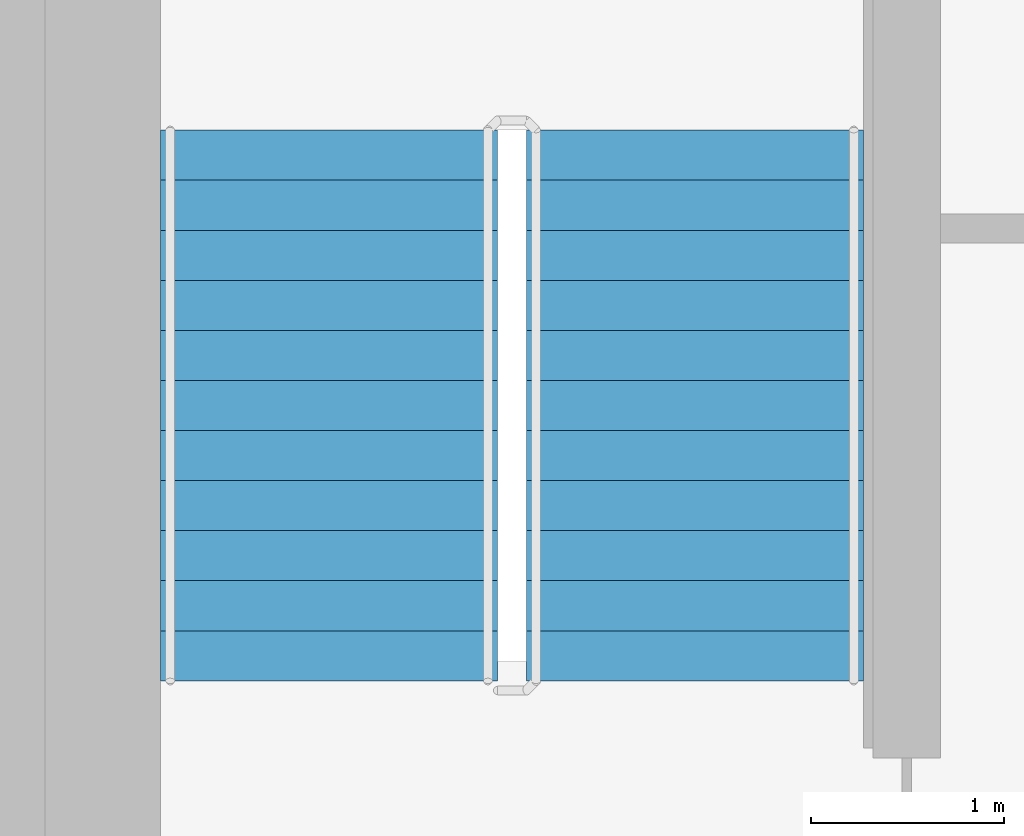
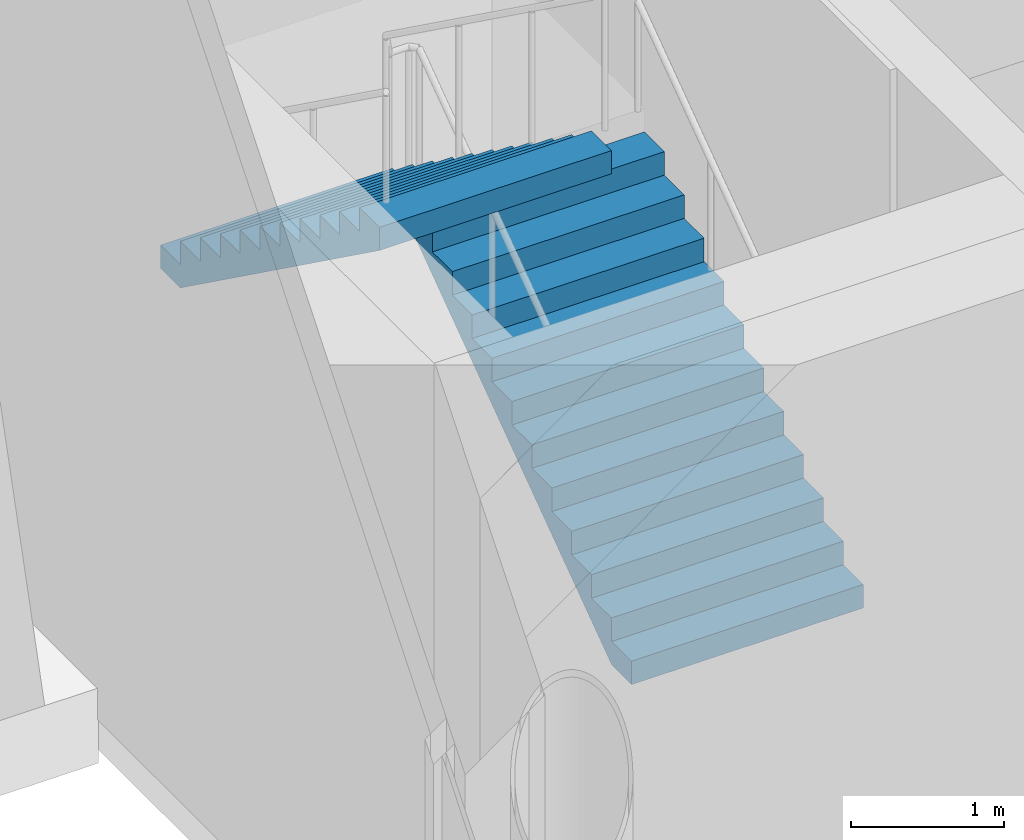
# One storey, part 14 of 17: 2 stair flights, 1 element without a shape of its own.
"""IFC4 building model written with IfcOpenShell, lengths in metres."""

from ifc_helpers import new_model, si_unit, direction, frame, origin, place, context, subcontext, project, spatial, faceted_brep, material, type_object, element, aggregate, save


model = new_model("IFC4")

# Units and contexts
model_context = context("Model", 3, precision=1e-05, world=origin(), true_north=direction((0.0, 1.0)))
body_context = subcontext(model_context, "Body", "Model", "MODEL_VIEW")
ifc_project = project(units=[si_unit("LENGTHUNIT", "METRE"), si_unit("AREAUNIT", "SQUARE_METRE"), si_unit("VOLUMEUNIT", "CUBIC_METRE"), si_unit("PLANEANGLEUNIT", "RADIAN"), si_unit("MASSUNIT", "GRAM", prefix="KILO")], contexts=[model_context])

# Site, building, storey
site_placement = place(None, origin())
site = spatial("IfcSite", under=ifc_project, at=site_placement, CompositionType="ELEMENT")
building_placement = place(site_placement, origin())
building = spatial("IfcBuilding", under=site, at=building_placement, Name="Ipe Terrace Towers", CompositionType="ELEMENT")
storey_placement = place(building_placement, frame((0.0, 0.0, 246.89990234375)))
storey = spatial("IfcBuildingStorey", under=building, at=storey_placement, Name="L68", CompositionType="ELEMENT", Elevation=246.89990234375)

# Stair, stair flights
ifc_material_1 = material(Name="Concrete C30/37", Category="concrete")
stair_type = type_object("IfcStairType", Name="Protected exit stair", PredefinedType="HALF_TURN_STAIR", material=ifc_material_1)
stair_placement = place(storey_placement, origin())
stair = element("IfcStair", 1, at=stair_placement, inside=storey, type_object=stair_type, Name="L68 Exit stair T2-C1", PredefinedType="HALF_TURN_STAIR")
ifc_material_2 = material(Name="Concrete C30/37", Category="concrete")
stair_flight_type = type_object("IfcStairFlightType", Name="Exit stair flight 1750", PredefinedType="STRAIGHT", material=ifc_material_2)
stair_flight_1_placement = place(storey_placement, frame((33.22509765625, 9.699951171875, 0.0), z_axis=(0.0, 0.0, 1.0), x_axis=(0.0, 1.0, 0.0)))
stair_flight_1 = element("IfcStairFlight", 2, at=stair_flight_1_placement, type_object=stair_flight_type, Name="T2-ST1 flight 1", NumberOfRisers=12, NumberOfTreads=11, PredefinedType="STRAIGHT", RiserHeight=0.1875, TreadLength=0.26, context=body_context, shape_type="Brep", body=[
    faceted_brep([(0.25634765625, -0.875, 0.0), (2.860107421875, -0.875, 1.877685546875), (2.860107421875, -0.875, 2.0625), (2.60009765625, -0.875, 2.0625), (2.60009765625, -0.875, 1.875), (2.340087890625, -0.875, 1.875), (2.340087890625, -0.875, 1.6875), (2.080078125, -0.875, 1.6875), (2.080078125, -0.875, 1.5), (1.820068359375, -0.875, 1.5), (1.820068359375, -0.875, 1.3125), (1.56005859375, -0.875, 1.3125), (1.56005859375, -0.875, 1.125), (1.300048828125, -0.875, 1.125), (1.300048828125, -0.875, 0.9375), (1.0400390625, -0.875, 0.9375), (1.0400390625, -0.875, 0.75), (0.780029296875, -0.875, 0.75), (0.780029296875, -0.875, 0.5625), (0.52001953125, -0.875, 0.5625), (0.52001953125, -0.875, 0.375), (0.260009765625, -0.875, 0.375), (0.260009765625, -0.875, 0.1875), (0.0, -0.875, 0.1875), (0.0, -0.875, 0.0), (0.0, 0.875, 0.0), (0.0, 0.875, 0.1875), (0.260009765625, 0.875, 0.1875), (0.260009765625, 0.875, 0.375), (0.52001953125, 0.875, 0.375), (0.52001953125, 0.875, 0.5625), (0.780029296875, 0.875, 0.5625), (0.780029296875, 0.875, 0.75), (1.0400390625, 0.875, 0.75), (1.0400390625, 0.875, 0.9375), (1.300048828125, 0.875, 0.9375), (1.300048828125, 0.875, 1.125), (1.56005859375, 0.875, 1.125), (1.56005859375, 0.875, 1.3125), (1.820068359375, 0.875, 1.3125), (1.820068359375, 0.875, 1.5), (2.080078125, 0.875, 1.5), (2.080078125, 0.875, 1.6875), (2.340087890625, 0.875, 1.6875), (2.340087890625, 0.875, 1.875), (2.60009765625, 0.875, 1.875), (2.60009765625, 0.875, 2.0625), (2.860107421875, 0.875, 2.0625), (2.860107421875, 0.875, 1.877685546875), (0.25634765625, 0.875, 0.0), (0.0, -0.300048828125, 0.1875), (0.0, -0.1201171875, 0.1875), (0.0, -0.06005859375, 0.1875), (0.0, -0.030029296875, 0.1875), (0.0, -0.010009765625, 0.1875), (0.0, 0.0, 0.1875), (0.0, 0.010009765625, 0.1875), (0.0, 0.030029296875, 0.1875), (0.0, 0.06005859375, 0.1875), (0.0, 0.1201171875, 0.1875), (0.0, 0.300048828125, 0.1875), (0.0, 0.300048828125, 0.0), (0.0, 0.1201171875, 0.0), (0.0, 0.06005859375, 0.0), (0.0, 0.030029296875, 0.0), (0.0, 0.010009765625, 0.0), (0.0, 0.0, 0.0), (0.0, -0.010009765625, 0.0), (0.0, -0.030029296875, 0.0), (0.0, -0.06005859375, 0.0), (0.0, -0.1201171875, 0.0), (0.0, -0.300048828125, 0.0), (0.260009765625, -0.300048828125, 0.1875), (0.260009765625, -0.1201171875, 0.1875), (0.260009765625, -0.06005859375, 0.1875), (0.260009765625, -0.030029296875, 0.1875), (0.260009765625, -0.010009765625, 0.1875), (0.260009765625, 0.0, 0.1875), (0.260009765625, 0.010009765625, 0.1875), (0.260009765625, 0.030029296875, 0.1875), (0.260009765625, 0.06005859375, 0.1875), (0.260009765625, 0.1201171875, 0.1875), (0.260009765625, 0.300048828125, 0.1875), (0.260009765625, -0.300048828125, 0.375), (0.260009765625, -0.1201171875, 0.375), (0.260009765625, -0.06005859375, 0.375), (0.260009765625, -0.030029296875, 0.375), (0.260009765625, -0.010009765625, 0.375), (0.260009765625, 0.0, 0.375), (0.260009765625, 0.010009765625, 0.375), (0.260009765625, 0.030029296875, 0.375), (0.260009765625, 0.06005859375, 0.375), (0.260009765625, 0.1201171875, 0.375), (0.260009765625, 0.300048828125, 0.375), (0.52001953125, -0.300048828125, 0.375), (0.52001953125, -0.1201171875, 0.375), (0.52001953125, -0.06005859375, 0.375), (0.52001953125, -0.030029296875, 0.375), (0.52001953125, -0.010009765625, 0.375), (0.52001953125, 0.0, 0.375), (0.52001953125, 0.010009765625, 0.375), (0.52001953125, 0.030029296875, 0.375), (0.52001953125, 0.06005859375, 0.375), (0.52001953125, 0.1201171875, 0.375), (0.52001953125, 0.300048828125, 0.375), (0.52001953125, -0.300048828125, 0.5625), (0.52001953125, -0.1201171875, 0.5625), (0.52001953125, -0.06005859375, 0.5625), (0.52001953125, -0.030029296875, 0.5625), (0.52001953125, -0.010009765625, 0.5625), (0.52001953125, 0.0, 0.5625), (0.52001953125, 0.010009765625, 0.5625), (0.52001953125, 0.030029296875, 0.5625), (0.52001953125, 0.06005859375, 0.5625), (0.52001953125, 0.1201171875, 0.5625), (0.52001953125, 0.300048828125, 0.5625), (0.780029296875, -0.300048828125, 0.5625), (0.780029296875, -0.1201171875, 0.5625), (0.780029296875, -0.06005859375, 0.5625), (0.780029296875, -0.030029296875, 0.5625), (0.780029296875, -0.010009765625, 0.5625), (0.780029296875, 0.0, 0.5625), (0.780029296875, 0.010009765625, 0.5625), (0.780029296875, 0.030029296875, 0.5625), (0.780029296875, 0.06005859375, 0.5625), (0.780029296875, 0.1201171875, 0.5625), (0.780029296875, 0.300048828125, 0.5625), (0.780029296875, -0.300048828125, 0.75), (0.780029296875, -0.1201171875, 0.75), (0.780029296875, -0.06005859375, 0.75), (0.780029296875, -0.030029296875, 0.75), (0.780029296875, -0.010009765625, 0.75), (0.780029296875, 0.0, 0.75), (0.780029296875, 0.010009765625, 0.75), (0.780029296875, 0.030029296875, 0.75), (0.780029296875, 0.06005859375, 0.75), (0.780029296875, 0.1201171875, 0.75), (0.780029296875, 0.300048828125, 0.75), (1.0400390625, -0.300048828125, 0.75), (1.0400390625, -0.1201171875, 0.75), (1.0400390625, -0.06005859375, 0.75), (1.0400390625, -0.030029296875, 0.75), (1.0400390625, -0.010009765625, 0.75), (1.0400390625, 0.0, 0.75), (1.0400390625, 0.010009765625, 0.75), (1.0400390625, 0.030029296875, 0.75), (1.0400390625, 0.06005859375, 0.75), (1.0400390625, 0.1201171875, 0.75), (1.0400390625, 0.300048828125, 0.75), (1.0400390625, -0.300048828125, 0.9375), (1.0400390625, -0.1201171875, 0.9375), (1.0400390625, -0.06005859375, 0.9375), (1.0400390625, -0.030029296875, 0.9375), (1.0400390625, -0.010009765625, 0.9375), (1.0400390625, 0.0, 0.9375), (1.0400390625, 0.010009765625, 0.9375), (1.0400390625, 0.030029296875, 0.9375), (1.0400390625, 0.06005859375, 0.9375), (1.0400390625, 0.1201171875, 0.9375), (1.0400390625, 0.300048828125, 0.9375), (1.300048828125, -0.300048828125, 0.9375), (1.300048828125, -0.1201171875, 0.9375), (1.300048828125, -0.06005859375, 0.9375), (1.300048828125, -0.030029296875, 0.9375), (1.300048828125, -0.010009765625, 0.9375), (1.300048828125, 0.0, 0.9375), (1.300048828125, 0.010009765625, 0.9375), (1.300048828125, 0.030029296875, 0.9375), (1.300048828125, 0.06005859375, 0.9375), (1.300048828125, 0.1201171875, 0.9375), (1.300048828125, 0.300048828125, 0.9375), (1.300048828125, -0.300048828125, 1.125), (1.300048828125, -0.1201171875, 1.125), (1.300048828125, -0.06005859375, 1.125), (1.300048828125, -0.030029296875, 1.125), (1.300048828125, -0.010009765625, 1.125), (1.300048828125, 0.0, 1.125), (1.300048828125, 0.010009765625, 1.125), (1.300048828125, 0.030029296875, 1.125), (1.300048828125, 0.06005859375, 1.125), (1.300048828125, 0.1201171875, 1.125), (1.300048828125, 0.300048828125, 1.125), (1.56005859375, -0.300048828125, 1.125), (1.56005859375, -0.1201171875, 1.125), (1.56005859375, -0.06005859375, 1.125), (1.56005859375, -0.030029296875, 1.125), (1.56005859375, -0.010009765625, 1.125), (1.56005859375, 0.0, 1.125), (1.56005859375, 0.010009765625, 1.125), (1.56005859375, 0.030029296875, 1.125), (1.56005859375, 0.06005859375, 1.125), (1.56005859375, 0.1201171875, 1.125), (1.56005859375, 0.300048828125, 1.125), (1.56005859375, -0.300048828125, 1.3125), (1.56005859375, -0.1201171875, 1.3125), (1.56005859375, -0.06005859375, 1.3125), (1.56005859375, -0.030029296875, 1.3125), (1.56005859375, -0.010009765625, 1.3125), (1.56005859375, 0.0, 1.3125), (1.56005859375, 0.010009765625, 1.3125), (1.56005859375, 0.030029296875, 1.3125), (1.56005859375, 0.06005859375, 1.3125), (1.56005859375, 0.1201171875, 1.3125), (1.56005859375, 0.300048828125, 1.3125), (1.820068359375, -0.300048828125, 1.3125), (1.820068359375, -0.1201171875, 1.3125), (1.820068359375, -0.06005859375, 1.3125), (1.820068359375, -0.030029296875, 1.3125), (1.820068359375, -0.010009765625, 1.3125), (1.820068359375, 0.0, 1.3125), (1.820068359375, 0.010009765625, 1.3125), (1.820068359375, 0.030029296875, 1.3125), (1.820068359375, 0.06005859375, 1.3125), (1.820068359375, 0.1201171875, 1.3125), (1.820068359375, 0.300048828125, 1.3125), (1.820068359375, -0.300048828125, 1.5), (1.820068359375, -0.1201171875, 1.5), (1.820068359375, -0.06005859375, 1.5), (1.820068359375, -0.030029296875, 1.5), (1.820068359375, -0.010009765625, 1.5), (1.820068359375, 0.0, 1.5), (1.820068359375, 0.010009765625, 1.5), (1.820068359375, 0.030029296875, 1.5), (1.820068359375, 0.06005859375, 1.5), (1.820068359375, 0.1201171875, 1.5), (1.820068359375, 0.300048828125, 1.5), (2.080078125, -0.300048828125, 1.5), (2.080078125, -0.1201171875, 1.5), (2.080078125, -0.06005859375, 1.5), (2.080078125, -0.030029296875, 1.5), (2.080078125, -0.010009765625, 1.5), (2.080078125, 0.0, 1.5), (2.080078125, 0.010009765625, 1.5), (2.080078125, 0.030029296875, 1.5), (2.080078125, 0.06005859375, 1.5), (2.080078125, 0.1201171875, 1.5), (2.080078125, 0.300048828125, 1.5), (2.080078125, -0.300048828125, 1.6875), (2.080078125, -0.1201171875, 1.6875), (2.080078125, -0.06005859375, 1.6875), (2.080078125, -0.030029296875, 1.6875), (2.080078125, -0.010009765625, 1.6875), (2.080078125, 0.0, 1.6875), (2.080078125, 0.010009765625, 1.6875), (2.080078125, 0.030029296875, 1.6875), (2.080078125, 0.06005859375, 1.6875), (2.080078125, 0.1201171875, 1.6875), (2.080078125, 0.300048828125, 1.6875), (2.340087890625, -0.300048828125, 1.6875), (2.340087890625, -0.1201171875, 1.6875), (2.340087890625, -0.06005859375, 1.6875), (2.340087890625, -0.030029296875, 1.6875), (2.340087890625, -0.010009765625, 1.6875), (2.340087890625, 0.0, 1.6875), (2.340087890625, 0.010009765625, 1.6875), (2.340087890625, 0.030029296875, 1.6875), (2.340087890625, 0.06005859375, 1.6875), (2.340087890625, 0.1201171875, 1.6875), (2.340087890625, 0.300048828125, 1.6875), (2.340087890625, -0.300048828125, 1.875), (2.340087890625, -0.1201171875, 1.875), (2.340087890625, -0.06005859375, 1.875), (2.340087890625, -0.030029296875, 1.875), (2.340087890625, -0.010009765625, 1.875), (2.340087890625, 0.0, 1.875), (2.340087890625, 0.010009765625, 1.875), (2.340087890625, 0.030029296875, 1.875), (2.340087890625, 0.06005859375, 1.875), (2.340087890625, 0.1201171875, 1.875), (2.340087890625, 0.300048828125, 1.875), (2.60009765625, -0.300048828125, 1.875), (2.60009765625, -0.1201171875, 1.875), (2.60009765625, -0.06005859375, 1.875), (2.60009765625, -0.030029296875, 1.875), (2.60009765625, -0.010009765625, 1.875), (2.60009765625, 0.0, 1.875), (2.60009765625, 0.010009765625, 1.875), (2.60009765625, 0.030029296875, 1.875), (2.60009765625, 0.06005859375, 1.875), (2.60009765625, 0.1201171875, 1.875), (2.60009765625, 0.300048828125, 1.875), (2.60009765625, -0.300048828125, 2.0625), (2.60009765625, -0.1201171875, 2.0625), (2.60009765625, -0.06005859375, 2.0625), (2.60009765625, -0.030029296875, 2.0625), (2.60009765625, -0.010009765625, 2.0625), (2.60009765625, 0.0, 2.0625), (2.60009765625, 0.010009765625, 2.0625), (2.60009765625, 0.030029296875, 2.0625), (2.60009765625, 0.06005859375, 2.0625), (2.60009765625, 0.1201171875, 2.0625), (2.60009765625, 0.300048828125, 2.0625), (2.860107421875, -0.300048828125, 2.0625), (2.860107421875, -0.1201171875, 2.0625), (2.860107421875, -0.06005859375, 2.0625), (2.860107421875, -0.030029296875, 2.0625), (2.860107421875, -0.010009765625, 2.0625), (2.860107421875, 0.0, 2.0625), (2.860107421875, 0.010009765625, 2.0625), (2.860107421875, 0.030029296875, 2.0625), (2.860107421875, 0.06005859375, 2.0625), (2.860107421875, 0.1201171875, 2.0625), (2.860107421875, 0.300048828125, 2.0625), (2.860107421875, -0.300048828125, 1.877685546875), (2.860107421875, -0.1201171875, 1.877685546875), (2.860107421875, -0.06005859375, 1.877685546875), (2.860107421875, -0.030029296875, 1.877685546875), (2.860107421875, -0.010009765625, 1.877685546875), (2.860107421875, 0.0, 1.877685546875), (2.860107421875, 0.010009765625, 1.877685546875), (2.860107421875, 0.030029296875, 1.877685546875), (2.860107421875, 0.06005859375, 1.877685546875), (2.860107421875, 0.1201171875, 1.877685546875), (2.860107421875, 0.300048828125, 1.877685546875), (0.25634765625, -0.300048828125, 0.0), (0.25634765625, -0.1201171875, 0.0), (0.25634765625, -0.06005859375, 0.0), (0.25634765625, -0.030029296875, 0.0), (0.25634765625, -0.010009765625, 0.0), (0.25634765625, 0.0, 0.0), (0.25634765625, 0.010009765625, 0.0), (0.25634765625, 0.030029296875, 0.0), (0.25634765625, 0.06005859375, 0.0), (0.25634765625, 0.1201171875, 0.0), (0.25634765625, 0.300048828125, 0.0)], [[[0, 1, 2, 3, 4, 5, 6, 7, 8, 9, 10, 11, 12, 13, 14, 15, 16, 17, 18, 19, 20, 21, 22, 23, 24]], [[25, 26, 27, 28, 29, 30, 31, 32, 33, 34, 35, 36, 37, 38, 39, 40, 41, 42, 43, 44, 45, 46, 47, 48, 49]], [[23, 50, 51, 52, 53, 54, 55, 56, 57, 58, 59, 60, 26, 25, 61, 62, 63, 64, 65, 66, 67, 68, 69, 70, 71, 24]], [[22, 72, 73, 74, 75, 76, 77, 78, 79, 80, 81, 82, 27, 26, 60, 59, 58, 57, 56, 55, 54, 53, 52, 51, 50, 23]], [[21, 83, 84, 85, 86, 87, 88, 89, 90, 91, 92, 93, 28, 27, 82, 81, 80, 79, 78, 77, 76, 75, 74, 73, 72, 22]], [[20, 94, 95, 96, 97, 98, 99, 100, 101, 102, 103, 104, 29, 28, 93, 92, 91, 90, 89, 88, 87, 86, 85, 84, 83, 21]], [[19, 105, 106, 107, 108, 109, 110, 111, 112, 113, 114, 115, 30, 29, 104, 103, 102, 101, 100, 99, 98, 97, 96, 95, 94, 20]], [[18, 116, 117, 118, 119, 120, 121, 122, 123, 124, 125, 126, 31, 30, 115, 114, 113, 112, 111, 110, 109, 108, 107, 106, 105, 19]], [[17, 127, 128, 129, 130, 131, 132, 133, 134, 135, 136, 137, 32, 31, 126, 125, 124, 123, 122, 121, 120, 119, 118, 117, 116, 18]], [[16, 138, 139, 140, 141, 142, 143, 144, 145, 146, 147, 148, 33, 32, 137, 136, 135, 134, 133, 132, 131, 130, 129, 128, 127, 17]], [[15, 149, 150, 151, 152, 153, 154, 155, 156, 157, 158, 159, 34, 33, 148, 147, 146, 145, 144, 143, 142, 141, 140, 139, 138, 16]], [[14, 160, 161, 162, 163, 164, 165, 166, 167, 168, 169, 170, 35, 34, 159, 158, 157, 156, 155, 154, 153, 152, 151, 150, 149, 15]], [[13, 171, 172, 173, 174, 175, 176, 177, 178, 179, 180, 181, 36, 35, 170, 169, 168, 167, 166, 165, 164, 163, 162, 161, 160, 14]], [[12, 182, 183, 184, 185, 186, 187, 188, 189, 190, 191, 192, 37, 36, 181, 180, 179, 178, 177, 176, 175, 174, 173, 172, 171, 13]], [[11, 193, 194, 195, 196, 197, 198, 199, 200, 201, 202, 203, 38, 37, 192, 191, 190, 189, 188, 187, 186, 185, 184, 183, 182, 12]], [[10, 204, 205, 206, 207, 208, 209, 210, 211, 212, 213, 214, 39, 38, 203, 202, 201, 200, 199, 198, 197, 196, 195, 194, 193, 11]], [[9, 215, 216, 217, 218, 219, 220, 221, 222, 223, 224, 225, 40, 39, 214, 213, 212, 211, 210, 209, 208, 207, 206, 205, 204, 10]], [[8, 226, 227, 228, 229, 230, 231, 232, 233, 234, 235, 236, 41, 40, 225, 224, 223, 222, 221, 220, 219, 218, 217, 216, 215, 9]], [[7, 237, 238, 239, 240, 241, 242, 243, 244, 245, 246, 247, 42, 41, 236, 235, 234, 233, 232, 231, 230, 229, 228, 227, 226, 8]], [[6, 248, 249, 250, 251, 252, 253, 254, 255, 256, 257, 258, 43, 42, 247, 246, 245, 244, 243, 242, 241, 240, 239, 238, 237, 7]], [[5, 259, 260, 261, 262, 263, 264, 265, 266, 267, 268, 269, 44, 43, 258, 257, 256, 255, 254, 253, 252, 251, 250, 249, 248, 6]], [[4, 270, 271, 272, 273, 274, 275, 276, 277, 278, 279, 280, 45, 44, 269, 268, 267, 266, 265, 264, 263, 262, 261, 260, 259, 5]], [[3, 281, 282, 283, 284, 285, 286, 287, 288, 289, 290, 291, 46, 45, 280, 279, 278, 277, 276, 275, 274, 273, 272, 271, 270, 4]], [[2, 292, 293, 294, 295, 296, 297, 298, 299, 300, 301, 302, 47, 46, 291, 290, 289, 288, 287, 286, 285, 284, 283, 282, 281, 3]], [[1, 303, 304, 305, 306, 307, 308, 309, 310, 311, 312, 313, 48, 47, 302, 301, 300, 299, 298, 297, 296, 295, 294, 293, 292, 2]], [[0, 314, 315, 316, 317, 318, 319, 320, 321, 322, 323, 324, 49, 48, 313, 312, 311, 310, 309, 308, 307, 306, 305, 304, 303, 1]], [[24, 71, 70, 69, 68, 67, 66, 65, 64, 63, 62, 61, 25, 49, 324, 323, 322, 321, 320, 319, 318, 317, 316, 315, 314, 0]]]),
])
stair_flight_2_placement = place(storey_placement, frame((31.324951171875, 12.56005859375, 2.25), z_axis=(0.0, 0.0, 1.0), x_axis=(0.0, -1.0, 0.0)))
stair_flight_2 = element("IfcStairFlight", 3, at=stair_flight_2_placement, type_object=stair_flight_type, Name="T2-ST1 flight 2", NumberOfRisers=12, NumberOfTreads=11, PredefinedType="STRAIGHT", RiserHeight=0.1875, TreadLength=0.26, context=body_context, shape_type="Brep", body=[
    faceted_brep([(0.25634765625, -0.875, 0.0), (2.860107421875, -0.875, 1.877685546875), (2.860107421875, -0.875, 2.0625), (2.60009765625, -0.875, 2.0625), (2.60009765625, -0.875, 1.875), (2.340087890625, -0.875, 1.875), (2.340087890625, -0.875, 1.6875), (2.080078125, -0.875, 1.6875), (2.080078125, -0.875, 1.5), (1.820068359375, -0.875, 1.5), (1.820068359375, -0.875, 1.3125), (1.56005859375, -0.875, 1.3125), (1.56005859375, -0.875, 1.125), (1.300048828125, -0.875, 1.125), (1.300048828125, -0.875, 0.9375), (1.0400390625, -0.875, 0.9375), (1.0400390625, -0.875, 0.75), (0.780029296875, -0.875, 0.75), (0.780029296875, -0.875, 0.5625), (0.52001953125, -0.875, 0.5625), (0.52001953125, -0.875, 0.375), (0.260009765625, -0.875, 0.375), (0.260009765625, -0.875, 0.1875), (0.0, -0.875, 0.1875), (0.0, -0.875, 0.0), (0.0, 0.875, 0.0), (0.0, 0.875, 0.1875), (0.260009765625, 0.875, 0.1875), (0.260009765625, 0.875, 0.375), (0.52001953125, 0.875, 0.375), (0.52001953125, 0.875, 0.5625), (0.780029296875, 0.875, 0.5625), (0.780029296875, 0.875, 0.75), (1.0400390625, 0.875, 0.75), (1.0400390625, 0.875, 0.9375), (1.300048828125, 0.875, 0.9375), (1.300048828125, 0.875, 1.125), (1.56005859375, 0.875, 1.125), (1.56005859375, 0.875, 1.3125), (1.820068359375, 0.875, 1.3125), (1.820068359375, 0.875, 1.5), (2.080078125, 0.875, 1.5), (2.080078125, 0.875, 1.6875), (2.340087890625, 0.875, 1.6875), (2.340087890625, 0.875, 1.875), (2.60009765625, 0.875, 1.875), (2.60009765625, 0.875, 2.0625), (2.860107421875, 0.875, 2.0625), (2.860107421875, 0.875, 1.877685546875), (0.25634765625, 0.875, 0.0), (0.0, -0.300048828125, 0.1875), (0.0, -0.1201171875, 0.1875), (0.0, -0.06005859375, 0.1875), (0.0, -0.030029296875, 0.1875), (0.0, -0.010009765625, 0.1875), (0.0, 0.0, 0.1875), (0.0, 0.010009765625, 0.1875), (0.0, 0.030029296875, 0.1875), (0.0, 0.06005859375, 0.1875), (0.0, 0.1201171875, 0.1875), (0.0, 0.300048828125, 0.1875), (0.0, 0.300048828125, 0.0), (0.0, 0.1201171875, 0.0), (0.0, 0.06005859375, 0.0), (0.0, 0.030029296875, 0.0), (0.0, 0.010009765625, 0.0), (0.0, 0.0, 0.0), (0.0, -0.010009765625, 0.0), (0.0, -0.030029296875, 0.0), (0.0, -0.06005859375, 0.0), (0.0, -0.1201171875, 0.0), (0.0, -0.300048828125, 0.0), (0.260009765625, -0.300048828125, 0.1875), (0.260009765625, -0.1201171875, 0.1875), (0.260009765625, -0.06005859375, 0.1875), (0.260009765625, -0.030029296875, 0.1875), (0.260009765625, -0.010009765625, 0.1875), (0.260009765625, 0.0, 0.1875), (0.260009765625, 0.010009765625, 0.1875), (0.260009765625, 0.030029296875, 0.1875), (0.260009765625, 0.06005859375, 0.1875), (0.260009765625, 0.1201171875, 0.1875), (0.260009765625, 0.300048828125, 0.1875), (0.260009765625, -0.300048828125, 0.375), (0.260009765625, -0.1201171875, 0.375), (0.260009765625, -0.06005859375, 0.375), (0.260009765625, -0.030029296875, 0.375), (0.260009765625, -0.010009765625, 0.375), (0.260009765625, 0.0, 0.375), (0.260009765625, 0.010009765625, 0.375), (0.260009765625, 0.030029296875, 0.375), (0.260009765625, 0.06005859375, 0.375), (0.260009765625, 0.1201171875, 0.375), (0.260009765625, 0.300048828125, 0.375), (0.52001953125, -0.300048828125, 0.375), (0.52001953125, -0.1201171875, 0.375), (0.52001953125, -0.06005859375, 0.375), (0.52001953125, -0.030029296875, 0.375), (0.52001953125, -0.010009765625, 0.375), (0.52001953125, 0.0, 0.375), (0.52001953125, 0.010009765625, 0.375), (0.52001953125, 0.030029296875, 0.375), (0.52001953125, 0.06005859375, 0.375), (0.52001953125, 0.1201171875, 0.375), (0.52001953125, 0.300048828125, 0.375), (0.52001953125, -0.300048828125, 0.5625), (0.52001953125, -0.1201171875, 0.5625), (0.52001953125, -0.06005859375, 0.5625), (0.52001953125, -0.030029296875, 0.5625), (0.52001953125, -0.010009765625, 0.5625), (0.52001953125, 0.0, 0.5625), (0.52001953125, 0.010009765625, 0.5625), (0.52001953125, 0.030029296875, 0.5625), (0.52001953125, 0.06005859375, 0.5625), (0.52001953125, 0.1201171875, 0.5625), (0.52001953125, 0.300048828125, 0.5625), (0.780029296875, -0.300048828125, 0.5625), (0.780029296875, -0.1201171875, 0.5625), (0.780029296875, -0.06005859375, 0.5625), (0.780029296875, -0.030029296875, 0.5625), (0.780029296875, -0.010009765625, 0.5625), (0.780029296875, 0.0, 0.5625), (0.780029296875, 0.010009765625, 0.5625), (0.780029296875, 0.030029296875, 0.5625), (0.780029296875, 0.06005859375, 0.5625), (0.780029296875, 0.1201171875, 0.5625), (0.780029296875, 0.300048828125, 0.5625), (0.780029296875, -0.300048828125, 0.75), (0.780029296875, -0.1201171875, 0.75), (0.780029296875, -0.06005859375, 0.75), (0.780029296875, -0.030029296875, 0.75), (0.780029296875, -0.010009765625, 0.75), (0.780029296875, 0.0, 0.75), (0.780029296875, 0.010009765625, 0.75), (0.780029296875, 0.030029296875, 0.75), (0.780029296875, 0.06005859375, 0.75), (0.780029296875, 0.1201171875, 0.75), (0.780029296875, 0.300048828125, 0.75), (1.0400390625, -0.300048828125, 0.75), (1.0400390625, -0.1201171875, 0.75), (1.0400390625, -0.06005859375, 0.75), (1.0400390625, -0.030029296875, 0.75), (1.0400390625, -0.010009765625, 0.75), (1.0400390625, 0.0, 0.75), (1.0400390625, 0.010009765625, 0.75), (1.0400390625, 0.030029296875, 0.75), (1.0400390625, 0.06005859375, 0.75), (1.0400390625, 0.1201171875, 0.75), (1.0400390625, 0.300048828125, 0.75), (1.0400390625, -0.300048828125, 0.9375), (1.0400390625, -0.1201171875, 0.9375), (1.0400390625, -0.06005859375, 0.9375), (1.0400390625, -0.030029296875, 0.9375), (1.0400390625, -0.010009765625, 0.9375), (1.0400390625, 0.0, 0.9375), (1.0400390625, 0.010009765625, 0.9375), (1.0400390625, 0.030029296875, 0.9375), (1.0400390625, 0.06005859375, 0.9375), (1.0400390625, 0.1201171875, 0.9375), (1.0400390625, 0.300048828125, 0.9375), (1.300048828125, -0.300048828125, 0.9375), (1.300048828125, -0.1201171875, 0.9375), (1.300048828125, -0.06005859375, 0.9375), (1.300048828125, -0.030029296875, 0.9375), (1.300048828125, -0.010009765625, 0.9375), (1.300048828125, 0.0, 0.9375), (1.300048828125, 0.010009765625, 0.9375), (1.300048828125, 0.030029296875, 0.9375), (1.300048828125, 0.06005859375, 0.9375), (1.300048828125, 0.1201171875, 0.9375), (1.300048828125, 0.300048828125, 0.9375), (1.300048828125, -0.300048828125, 1.125), (1.300048828125, -0.1201171875, 1.125), (1.300048828125, -0.06005859375, 1.125), (1.300048828125, -0.030029296875, 1.125), (1.300048828125, -0.010009765625, 1.125), (1.300048828125, 0.0, 1.125), (1.300048828125, 0.010009765625, 1.125), (1.300048828125, 0.030029296875, 1.125), (1.300048828125, 0.06005859375, 1.125), (1.300048828125, 0.1201171875, 1.125), (1.300048828125, 0.300048828125, 1.125), (1.56005859375, -0.300048828125, 1.125), (1.56005859375, -0.1201171875, 1.125), (1.56005859375, -0.06005859375, 1.125), (1.56005859375, -0.030029296875, 1.125), (1.56005859375, -0.010009765625, 1.125), (1.56005859375, 0.0, 1.125), (1.56005859375, 0.010009765625, 1.125), (1.56005859375, 0.030029296875, 1.125), (1.56005859375, 0.06005859375, 1.125), (1.56005859375, 0.1201171875, 1.125), (1.56005859375, 0.300048828125, 1.125), (1.56005859375, -0.300048828125, 1.3125), (1.56005859375, -0.1201171875, 1.3125), (1.56005859375, -0.06005859375, 1.3125), (1.56005859375, -0.030029296875, 1.3125), (1.56005859375, -0.010009765625, 1.3125), (1.56005859375, 0.0, 1.3125), (1.56005859375, 0.010009765625, 1.3125), (1.56005859375, 0.030029296875, 1.3125), (1.56005859375, 0.06005859375, 1.3125), (1.56005859375, 0.1201171875, 1.3125), (1.56005859375, 0.300048828125, 1.3125), (1.820068359375, -0.300048828125, 1.3125), (1.820068359375, -0.1201171875, 1.3125), (1.820068359375, -0.06005859375, 1.3125), (1.820068359375, -0.030029296875, 1.3125), (1.820068359375, -0.010009765625, 1.3125), (1.820068359375, 0.0, 1.3125), (1.820068359375, 0.010009765625, 1.3125), (1.820068359375, 0.030029296875, 1.3125), (1.820068359375, 0.06005859375, 1.3125), (1.820068359375, 0.1201171875, 1.3125), (1.820068359375, 0.300048828125, 1.3125), (1.820068359375, -0.300048828125, 1.5), (1.820068359375, -0.1201171875, 1.5), (1.820068359375, -0.06005859375, 1.5), (1.820068359375, -0.030029296875, 1.5), (1.820068359375, -0.010009765625, 1.5), (1.820068359375, 0.0, 1.5), (1.820068359375, 0.010009765625, 1.5), (1.820068359375, 0.030029296875, 1.5), (1.820068359375, 0.06005859375, 1.5), (1.820068359375, 0.1201171875, 1.5), (1.820068359375, 0.300048828125, 1.5), (2.080078125, -0.300048828125, 1.5), (2.080078125, -0.1201171875, 1.5), (2.080078125, -0.06005859375, 1.5), (2.080078125, -0.030029296875, 1.5), (2.080078125, -0.010009765625, 1.5), (2.080078125, 0.0, 1.5), (2.080078125, 0.010009765625, 1.5), (2.080078125, 0.030029296875, 1.5), (2.080078125, 0.06005859375, 1.5), (2.080078125, 0.1201171875, 1.5), (2.080078125, 0.300048828125, 1.5), (2.080078125, -0.300048828125, 1.6875), (2.080078125, -0.1201171875, 1.6875), (2.080078125, -0.06005859375, 1.6875), (2.080078125, -0.030029296875, 1.6875), (2.080078125, -0.010009765625, 1.6875), (2.080078125, 0.0, 1.6875), (2.080078125, 0.010009765625, 1.6875), (2.080078125, 0.030029296875, 1.6875), (2.080078125, 0.06005859375, 1.6875), (2.080078125, 0.1201171875, 1.6875), (2.080078125, 0.300048828125, 1.6875), (2.340087890625, -0.300048828125, 1.6875), (2.340087890625, -0.1201171875, 1.6875), (2.340087890625, -0.06005859375, 1.6875), (2.340087890625, -0.030029296875, 1.6875), (2.340087890625, -0.010009765625, 1.6875), (2.340087890625, 0.0, 1.6875), (2.340087890625, 0.010009765625, 1.6875), (2.340087890625, 0.030029296875, 1.6875), (2.340087890625, 0.06005859375, 1.6875), (2.340087890625, 0.1201171875, 1.6875), (2.340087890625, 0.300048828125, 1.6875), (2.340087890625, -0.300048828125, 1.875), (2.340087890625, -0.1201171875, 1.875), (2.340087890625, -0.06005859375, 1.875), (2.340087890625, -0.030029296875, 1.875), (2.340087890625, -0.010009765625, 1.875), (2.340087890625, 0.0, 1.875), (2.340087890625, 0.010009765625, 1.875), (2.340087890625, 0.030029296875, 1.875), (2.340087890625, 0.06005859375, 1.875), (2.340087890625, 0.1201171875, 1.875), (2.340087890625, 0.300048828125, 1.875), (2.60009765625, -0.300048828125, 1.875), (2.60009765625, -0.1201171875, 1.875), (2.60009765625, -0.06005859375, 1.875), (2.60009765625, -0.030029296875, 1.875), (2.60009765625, -0.010009765625, 1.875), (2.60009765625, 0.0, 1.875), (2.60009765625, 0.010009765625, 1.875), (2.60009765625, 0.030029296875, 1.875), (2.60009765625, 0.06005859375, 1.875), (2.60009765625, 0.1201171875, 1.875), (2.60009765625, 0.300048828125, 1.875), (2.60009765625, -0.300048828125, 2.0625), (2.60009765625, -0.1201171875, 2.0625), (2.60009765625, -0.06005859375, 2.0625), (2.60009765625, -0.030029296875, 2.0625), (2.60009765625, -0.010009765625, 2.0625), (2.60009765625, 0.0, 2.0625), (2.60009765625, 0.010009765625, 2.0625), (2.60009765625, 0.030029296875, 2.0625), (2.60009765625, 0.06005859375, 2.0625), (2.60009765625, 0.1201171875, 2.0625), (2.60009765625, 0.300048828125, 2.0625), (2.860107421875, -0.300048828125, 2.0625), (2.860107421875, -0.1201171875, 2.0625), (2.860107421875, -0.06005859375, 2.0625), (2.860107421875, -0.030029296875, 2.0625), (2.860107421875, -0.010009765625, 2.0625), (2.860107421875, 0.0, 2.0625), (2.860107421875, 0.010009765625, 2.0625), (2.860107421875, 0.030029296875, 2.0625), (2.860107421875, 0.06005859375, 2.0625), (2.860107421875, 0.1201171875, 2.0625), (2.860107421875, 0.300048828125, 2.0625), (2.860107421875, -0.300048828125, 1.877685546875), (2.860107421875, -0.1201171875, 1.877685546875), (2.860107421875, -0.06005859375, 1.877685546875), (2.860107421875, -0.030029296875, 1.877685546875), (2.860107421875, -0.010009765625, 1.877685546875), (2.860107421875, 0.0, 1.877685546875), (2.860107421875, 0.010009765625, 1.877685546875), (2.860107421875, 0.030029296875, 1.877685546875), (2.860107421875, 0.06005859375, 1.877685546875), (2.860107421875, 0.1201171875, 1.877685546875), (2.860107421875, 0.300048828125, 1.877685546875), (0.25634765625, -0.300048828125, 0.0), (0.25634765625, -0.1201171875, 0.0), (0.25634765625, -0.06005859375, 0.0), (0.25634765625, -0.030029296875, 0.0), (0.25634765625, -0.010009765625, 0.0), (0.25634765625, 0.0, 0.0), (0.25634765625, 0.010009765625, 0.0), (0.25634765625, 0.030029296875, 0.0), (0.25634765625, 0.06005859375, 0.0), (0.25634765625, 0.1201171875, 0.0), (0.25634765625, 0.300048828125, 0.0)], [[[0, 1, 2, 3, 4, 5, 6, 7, 8, 9, 10, 11, 12, 13, 14, 15, 16, 17, 18, 19, 20, 21, 22, 23, 24]], [[25, 26, 27, 28, 29, 30, 31, 32, 33, 34, 35, 36, 37, 38, 39, 40, 41, 42, 43, 44, 45, 46, 47, 48, 49]], [[23, 50, 51, 52, 53, 54, 55, 56, 57, 58, 59, 60, 26, 25, 61, 62, 63, 64, 65, 66, 67, 68, 69, 70, 71, 24]], [[22, 72, 73, 74, 75, 76, 77, 78, 79, 80, 81, 82, 27, 26, 60, 59, 58, 57, 56, 55, 54, 53, 52, 51, 50, 23]], [[21, 83, 84, 85, 86, 87, 88, 89, 90, 91, 92, 93, 28, 27, 82, 81, 80, 79, 78, 77, 76, 75, 74, 73, 72, 22]], [[20, 94, 95, 96, 97, 98, 99, 100, 101, 102, 103, 104, 29, 28, 93, 92, 91, 90, 89, 88, 87, 86, 85, 84, 83, 21]], [[19, 105, 106, 107, 108, 109, 110, 111, 112, 113, 114, 115, 30, 29, 104, 103, 102, 101, 100, 99, 98, 97, 96, 95, 94, 20]], [[18, 116, 117, 118, 119, 120, 121, 122, 123, 124, 125, 126, 31, 30, 115, 114, 113, 112, 111, 110, 109, 108, 107, 106, 105, 19]], [[17, 127, 128, 129, 130, 131, 132, 133, 134, 135, 136, 137, 32, 31, 126, 125, 124, 123, 122, 121, 120, 119, 118, 117, 116, 18]], [[16, 138, 139, 140, 141, 142, 143, 144, 145, 146, 147, 148, 33, 32, 137, 136, 135, 134, 133, 132, 131, 130, 129, 128, 127, 17]], [[15, 149, 150, 151, 152, 153, 154, 155, 156, 157, 158, 159, 34, 33, 148, 147, 146, 145, 144, 143, 142, 141, 140, 139, 138, 16]], [[14, 160, 161, 162, 163, 164, 165, 166, 167, 168, 169, 170, 35, 34, 159, 158, 157, 156, 155, 154, 153, 152, 151, 150, 149, 15]], [[13, 171, 172, 173, 174, 175, 176, 177, 178, 179, 180, 181, 36, 35, 170, 169, 168, 167, 166, 165, 164, 163, 162, 161, 160, 14]], [[12, 182, 183, 184, 185, 186, 187, 188, 189, 190, 191, 192, 37, 36, 181, 180, 179, 178, 177, 176, 175, 174, 173, 172, 171, 13]], [[11, 193, 194, 195, 196, 197, 198, 199, 200, 201, 202, 203, 38, 37, 192, 191, 190, 189, 188, 187, 186, 185, 184, 183, 182, 12]], [[10, 204, 205, 206, 207, 208, 209, 210, 211, 212, 213, 214, 39, 38, 203, 202, 201, 200, 199, 198, 197, 196, 195, 194, 193, 11]], [[9, 215, 216, 217, 218, 219, 220, 221, 222, 223, 224, 225, 40, 39, 214, 213, 212, 211, 210, 209, 208, 207, 206, 205, 204, 10]], [[8, 226, 227, 228, 229, 230, 231, 232, 233, 234, 235, 236, 41, 40, 225, 224, 223, 222, 221, 220, 219, 218, 217, 216, 215, 9]], [[7, 237, 238, 239, 240, 241, 242, 243, 244, 245, 246, 247, 42, 41, 236, 235, 234, 233, 232, 231, 230, 229, 228, 227, 226, 8]], [[6, 248, 249, 250, 251, 252, 253, 254, 255, 256, 257, 258, 43, 42, 247, 246, 245, 244, 243, 242, 241, 240, 239, 238, 237, 7]], [[5, 259, 260, 261, 262, 263, 264, 265, 266, 267, 268, 269, 44, 43, 258, 257, 256, 255, 254, 253, 252, 251, 250, 249, 248, 6]], [[4, 270, 271, 272, 273, 274, 275, 276, 277, 278, 279, 280, 45, 44, 269, 268, 267, 266, 265, 264, 263, 262, 261, 260, 259, 5]], [[3, 281, 282, 283, 284, 285, 286, 287, 288, 289, 290, 291, 46, 45, 280, 279, 278, 277, 276, 275, 274, 273, 272, 271, 270, 4]], [[2, 292, 293, 294, 295, 296, 297, 298, 299, 300, 301, 302, 47, 46, 291, 290, 289, 288, 287, 286, 285, 284, 283, 282, 281, 3]], [[1, 303, 304, 305, 306, 307, 308, 309, 310, 311, 312, 313, 48, 47, 302, 301, 300, 299, 298, 297, 296, 295, 294, 293, 292, 2]], [[0, 314, 315, 316, 317, 318, 319, 320, 321, 322, 323, 324, 49, 48, 313, 312, 311, 310, 309, 308, 307, 306, 305, 304, 303, 1]], [[24, 71, 70, 69, 68, 67, 66, 65, 64, 63, 62, 61, 25, 49, 324, 323, 322, 321, 320, 319, 318, 317, 316, 315, 314, 0]]]),
])
aggregate(stair, [stair_flight_1, stair_flight_2])

save(model, "model.ifc")
